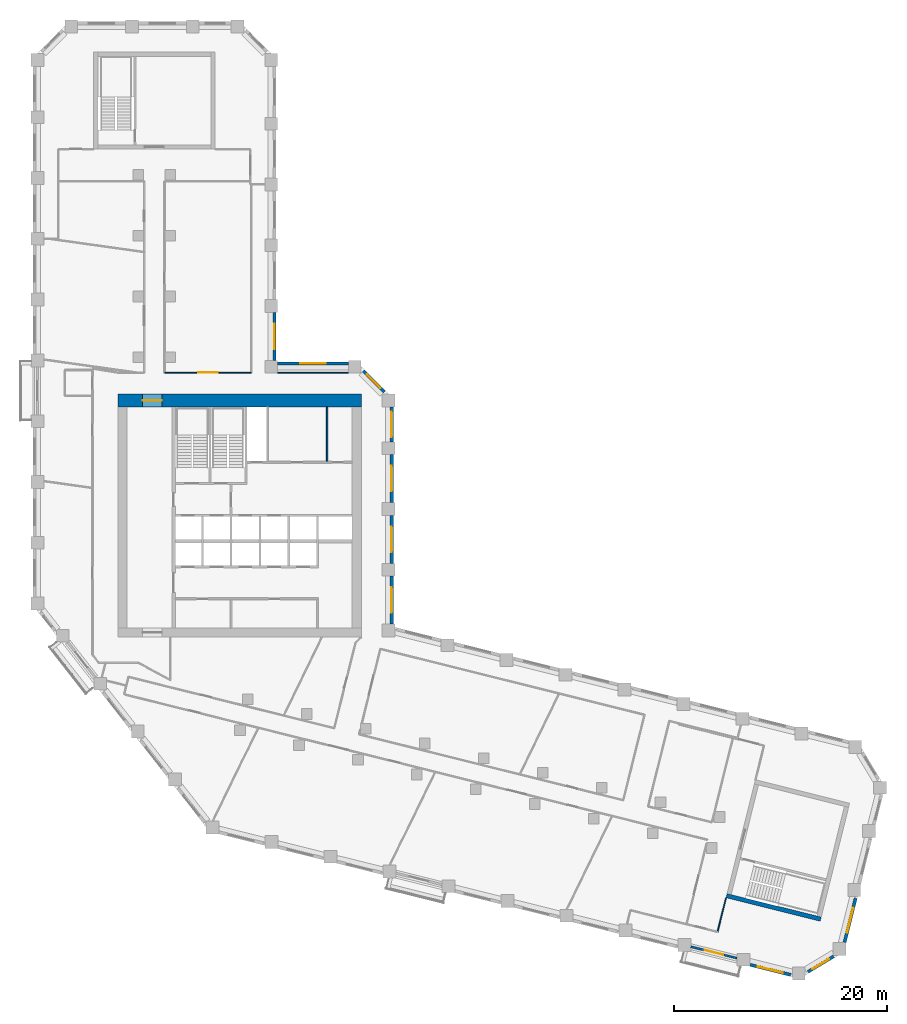
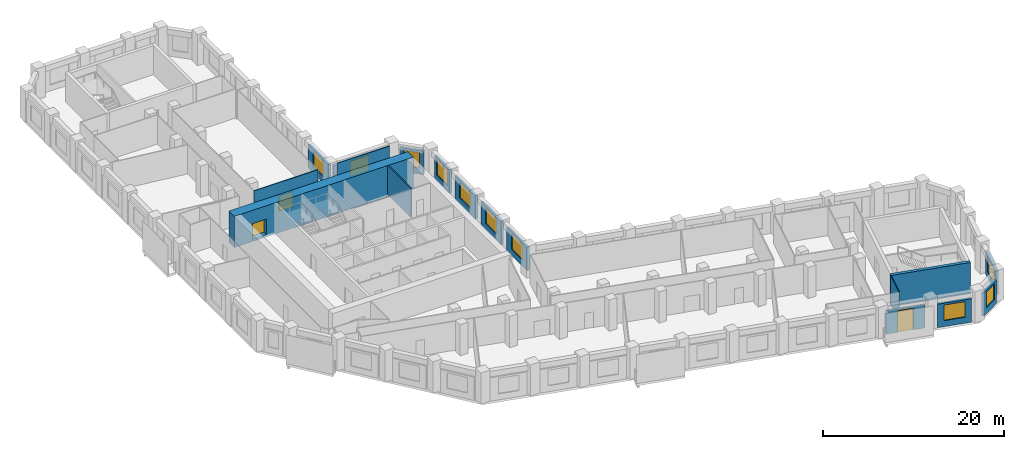
# One storey, part 6 of 10: 17 walls, 10 windows, 3 doors, 13 openings.
"""IFC4 building model written with IfcOpenShell, lengths in metres."""

import ifcopenshell
import ifcopenshell.guid

model = None  # the IFC model being written
_history = None  # IfcOwnerHistory: only IFC2X3 demands one
_inside = {}  # id of a spatial element -> (the spatial element, [elements in it])
_under = {}  # id of a project, library or spatial element -> (it, [spatial elements below it])
_declared = {}  # id of a project -> (the project, [libraries it declares])
_typed = {}  # id of a type object -> (the type object, [elements of that type])
_made_of = {}  # id of a material, layer set ... -> (it, [elements and type objects made of it])


def new_model(schema):
    """Start an empty IFC model of exactly this schema.

    Asked for "IFC4X3", IfcOpenShell would pick the latest addendum, in which some entities
    have other attributes; the version numbers below select the first issue.
    IFC2X3 requires an IfcOwnerHistory on every rooted entity: one is made here for all.
    """
    global model, _history
    if schema == "IFC4X3":
        model = ifcopenshell.file(schema_version=(4, 3, 0, 0))
    else:
        model = ifcopenshell.file(schema=schema)
    _inside.clear()
    _under.clear()
    _declared.clear()
    _typed.clear()
    _made_of.clear()
    _history = None
    if model.schema == "IFC2X3":
        org = make("IfcOrganization", Name="unknown")
        user = make(
            "IfcPersonAndOrganization",
            ThePerson=make("IfcPerson", FamilyName="unknown"),
            TheOrganization=org,
        )
        app = make(
            "IfcApplication",
            ApplicationDeveloper=org,
            Version="unknown",
            ApplicationFullName="unknown",
            ApplicationIdentifier="unknown",
        )
        _history = make(
            "IfcOwnerHistory",
            OwningUser=user,
            OwningApplication=app,
            ChangeAction="ADDED",
            CreationDate=0,
        )
    return model


def make(cls, **values):
    """One entity of the class cls with the attributes given. An attribute that is None is left unset."""
    return model.create_entity(
        cls, **{name: value for name, value in values.items() if value is not None}
    )


def rooted(cls, **values):
    """An entity with a GlobalId (a new one), such as an element, a storey or a relation."""
    return make(cls, GlobalId=ifcopenshell.guid.new(), OwnerHistory=_history, **values)


def si_unit(unit_type, name, prefix=None):
    """IfcSIUnit, for example si_unit("LENGTHUNIT", "METRE", prefix="MILLI")."""
    return make("IfcSIUnit", UnitType=unit_type, Prefix=prefix, Name=name)


def assignment(units):
    """IfcUnitAssignment: the units of a project."""
    return None if units is None else make("IfcUnitAssignment", Units=units)


def point(xyz):
    """IfcCartesianPoint."""
    return None if xyz is None else make("IfcCartesianPoint", Coordinates=xyz)


def direction(xyz):
    """IfcDirection."""
    return None if xyz is None else make("IfcDirection", DirectionRatios=xyz)


def frame(location, z_axis=None, x_axis=None):
    """IfcAxis2Placement3D, a coordinate frame: its origin and axes. An axis left out is left unset."""
    return make(
        "IfcAxis2Placement3D",
        Location=point(location),
        Axis=direction(z_axis),
        RefDirection=direction(x_axis),
    )


def frame_2d(location, x_axis=None):
    """IfcAxis2Placement2D, a coordinate frame in the plane: its origin and x axis."""
    return make(
        "IfcAxis2Placement2D", Location=point(location), RefDirection=direction(x_axis)
    )


def origin():
    """The frame at (0, 0, 0) with its axes left unset."""
    return frame((0.0, 0.0, 0.0))


def place(relative_to, where):
    """IfcLocalPlacement: puts the frame where relative to a parent placement (None: the world)."""
    return make(
        "IfcLocalPlacement", PlacementRelTo=relative_to, RelativePlacement=where
    )


def context(
    kind, dimensions, precision=None, world=None, true_north=None, identifier=None
):
    """IfcGeometricRepresentationContext, for example the 3D "Model" context."""
    return make(
        "IfcGeometricRepresentationContext",
        ContextIdentifier=identifier,
        ContextType=kind,
        CoordinateSpaceDimension=dimensions,
        Precision=precision,
        WorldCoordinateSystem=world,
        TrueNorth=true_north,
    )


def subcontext(parent, identifier, kind, view, scale=None):
    """IfcGeometricRepresentationSubContext, for example "Body" below "Model"."""
    return make(
        "IfcGeometricRepresentationSubContext",
        ContextIdentifier=identifier,
        ContextType=kind,
        ParentContext=parent,
        TargetScale=scale,
        TargetView=view,
    )


def project(units=None, contexts=None):
    """IfcProject with its units and contexts."""
    return rooted(
        "IfcProject",
        Name="project",
        RepresentationContexts=contexts,
        UnitsInContext=assignment(units),
    )


def spatial(cls, under=None, at=None, **own):
    """A site, building, storey or space (cls), placed at a placement, below another one or the project."""
    s = rooted(cls, ObjectPlacement=at, **own)
    if under is not None:
        _under.setdefault(under.id(), (under, []))[1].append(s)
    return s


def profile(cls, at=None, kind="AREA", **sizes):
    """A parametric profile (cls). Its sizes go by their IFC names, for example OverallWidth=200.0."""
    return make(cls, ProfileType=kind, Position=at, **sizes)


def rectangle(**sizes):
    """IfcRectangleProfileDef."""
    return profile("IfcRectangleProfileDef", **sizes)


def extrude(swept, where, along, depth):
    """IfcExtrudedAreaSolid: the profile swept, set in the frame where, extruded along a direction by depth."""
    return make(
        "IfcExtrudedAreaSolid",
        SweptArea=swept,
        Position=where,
        ExtrudedDirection=direction(along),
        Depth=depth,
    )


def shape(context_of_items, identifier, shape_type, items):
    """IfcShapeRepresentation: the items that make up one representation, for example the "Body"."""
    return make(
        "IfcShapeRepresentation",
        ContextOfItems=context_of_items,
        RepresentationIdentifier=identifier,
        RepresentationType=shape_type,
        Items=items,
    )


def material(Name=None, Category=None):
    """IfcMaterial."""
    return make("IfcMaterial", Name=Name, Category=Category)


def layer(
    of_material, thickness, ventilated=None, Name=None, Category=None, Priority=None
):
    """IfcMaterialLayer: one layer of a wall or slab, of a material (None: an air gap)."""
    return make(
        "IfcMaterialLayer",
        Material=of_material,
        LayerThickness=thickness,
        IsVentilated=ventilated,
        Name=Name,
        Category=Category,
        Priority=Priority,
    )


def layer_set(layers, Name=None):
    """IfcMaterialLayerSet."""
    return make("IfcMaterialLayerSet", MaterialLayers=layers, LayerSetName=Name)


def made_of(thing, what):
    """Note that an element or type object is made of a material, layer set ...; save() writes the relation."""
    if what is not None:
        _made_of.setdefault(what.id(), (what, []))[1].append(thing)
    return thing


def type_object(cls, material=None, **own):
    """A type object (cls), such as IfcWallType, which elements share."""
    return made_of(rooted(cls, **own), material)


def element(
    cls,
    number,
    at=None,
    inside=None,
    cuts=None,
    type_object=None,
    material=None,
    context=None,
    identifier="Body",
    shape_type=None,
    held_by="IfcProductDefinitionShape",
    body=None,
    shapes=None,
    **own,
):
    """One element of the class cls, such as IfcWall. Its Tag is "e" and its number.

    at: its placement. inside: the storey or other place that contains it. cuts: it is an
    opening in that element (IfcRelVoidsElement). A single representation is given by context,
    identifier, shape_type and body (its items); several are given by shapes. held_by: the class
    of the entity that holds the representations. save() writes the other relations.
    """
    e = rooted(cls, Tag="e%d" % number, ObjectPlacement=at, **own)
    if body is not None:
        shapes = [shape(context, identifier, shape_type, body)]
    if shapes is not None:
        e.Representation = make(held_by, Representations=shapes)
    if inside is not None:
        _inside.setdefault(inside.id(), (inside, []))[1].append(e)
    if cuts is not None:
        rooted(
            "IfcRelVoidsElement", RelatingBuildingElement=cuts, RelatedOpeningElement=e
        )
    if type_object is not None:
        _typed.setdefault(type_object.id(), (type_object, []))[1].append(e)
    return made_of(e, material)


def fill(opening, filler):
    """IfcRelFillsElement: the door or window that sits in an opening."""
    return rooted(
        "IfcRelFillsElement",
        RelatingOpeningElement=opening,
        RelatedBuildingElement=filler,
    )


def aggregate(whole, parts):
    """IfcRelAggregates: a whole, such as a stair, and the parts it consists of."""
    return rooted("IfcRelAggregates", RelatingObject=whole, RelatedObjects=parts)


def save(model, path):
    """Write the relations noted so far, then the file.

    IfcRelAggregates (storeys below a building ...), IfcRelContainedInSpatialStructure (elements
    in a storey), IfcRelDefinesByType, IfcRelAssociatesMaterial and IfcRelDeclares: one each for
    every whole, place, type object, material and project.
    """
    for whole, parts in _under.values():
        aggregate(whole, parts)
    for where, things in _inside.values():
        rooted(
            "IfcRelContainedInSpatialStructure",
            RelatedElements=things,
            RelatingStructure=where,
        )
    for kind, things in _typed.values():
        rooted("IfcRelDefinesByType", RelatedObjects=things, RelatingType=kind)
    for what, things in _made_of.values():
        rooted("IfcRelAssociatesMaterial", RelatedObjects=things, RelatingMaterial=what)
    for by, libraries in _declared.values():
        rooted("IfcRelDeclares", RelatingContext=by, RelatedDefinitions=libraries)
    model.write(path)


model = new_model("IFC4")

# Units and contexts
model_context = context("Model", 3, precision=1e-05, world=origin(), true_north=direction((0.0, 1.0)))
body_context = subcontext(model_context, "Body", "Model", "MODEL_VIEW")
ifc_project = project(units=[si_unit("LENGTHUNIT", "METRE"), si_unit("AREAUNIT", "SQUARE_METRE"), si_unit("VOLUMEUNIT", "CUBIC_METRE"), si_unit("PLANEANGLEUNIT", "RADIAN"), si_unit("MASSUNIT", "GRAM", prefix="KILO")], contexts=[model_context])

# Site, building, storey
site_placement = place(None, origin())
site = spatial("IfcSite", under=ifc_project, at=site_placement, CompositionType="ELEMENT")
building_placement = place(site_placement, origin())
building = spatial("IfcBuilding", under=site, at=building_placement, Name="Meshkara Civic Tower", CompositionType="ELEMENT")
storey_placement = place(building_placement, frame((0.0, 0.0, 190.800048828125)))
storey = spatial("IfcBuildingStorey", under=building, at=storey_placement, Name="L43", CompositionType="ELEMENT", Elevation=190.800048828125)

# Wall
ifc_material_1 = material(Name="Blockwork", Category="masonry")
ifc_layer_1 = layer(ifc_material_1, 0.14990234375)
ifc_layer_set_1 = layer_set([ifc_layer_1], Name="Core partition 150")
wall_type_1 = type_object("IfcWallType", Name="Core partition 150", PredefinedType="PARTITIONING", material=ifc_layer_set_1)
wall_1_placement = place(storey_placement, frame((27.60009765625, 30.574951171875, 0.0), z_axis=(0.0, 0.0, 1.0), x_axis=(0.0, 1.0, 0.0)))
element("IfcWall", 1, at=wall_1_placement, inside=storey, type_object=wall_type_1, Name="L43-C022", PredefinedType="PARTITIONING", context=body_context, shape_type="SweptSolid", body=[
    extrude(rectangle(XDim=5.125, YDim=0.14990234375, at=frame_2d((2.5625, 0.0))), origin(), (0.0, 0.0, 1.0), 3.89990234375),
])

# Wall, opening, door
ifc_material_2 = material(Name="Concrete C70", Category="concrete")
ifc_layer_2 = layer(ifc_material_2, 1.199951171875)
ifc_layer_set_2 = layer_set([ifc_layer_2], Name="Core ring wall 1200 C70")
wall_type_2 = type_object("IfcWallType", Name="Core ring wall 1200 C70", PredefinedType="SHEAR", material=ifc_layer_set_2)
wall_2_placement = place(storey_placement, frame((8.0, 36.300048828125, -0.300048828125), z_axis=(0.0, 0.0, 1.0), x_axis=(1.0, 0.0, 0.0)))
wall_2 = element("IfcWall", 2, at=wall_2_placement, inside=storey, type_object=wall_type_2, Name="L43-C002", PredefinedType="SHEAR", context=body_context, shape_type="SweptSolid", body=[
    extrude(rectangle(XDim=22.800048828125, YDim=1.199951171875, at=frame_2d((11.39990234375, 0.0))), origin(), (0.0, 0.0, 1.0), 4.199951171875),
])
opening_1_placement = place(wall_2_placement, frame((2.300048828125, 0.0, 0.300048828125)))
opening_1 = element("IfcOpeningElement", 3, at=opening_1_placement, cuts=wall_2, Name="Opening L43-K020", PredefinedType="OPENING", context=body_context, shape_type="SweptSolid", body=[
    extrude(rectangle(XDim=1.800048828125, YDim=2.10009765625, at=frame_2d((0.89990234375, 1.050048828125))), frame((0.0, 0.60986328125, 0.0), z_axis=(0.0, -1.0, 0.0), x_axis=(1.0, 0.0, 0.0)), (0.0, 0.0, 1.0), 1.219970703125),
])
ifc_material_3 = material(Name="Fire-rated door leaf in steel frame", Category="steel")
door_type_1 = type_object("IfcDoorType", Name="Core double door 1800 EI 60", OperationType="DOUBLE_DOOR_SINGLE_SWING", PredefinedType="DOOR", material=ifc_material_3)
door_1_placement = place(opening_1_placement, origin())
door_1 = element("IfcDoor", 4, at=door_1_placement, inside=storey, type_object=door_type_1, Name="L43-K020", OperationType="DOUBLE_DOOR_SINGLE_SWING", OverallHeight=2.10009765625, OverallWidth=1.800048828125, PredefinedType="DOOR", context=body_context, shape_type="SweptSolid", body=[
    extrude(rectangle(XDim=1.800048828125, YDim=2.10009765625, at=frame_2d((0.89990234375, 1.050048828125))), frame((0.0, 0.02490234375, 0.0), z_axis=(0.0, -1.0, 0.0), x_axis=(1.0, 0.0, 0.0)), (0.0, 0.0, 1.0), 0.050048828125),
])
fill(opening_1, door_1)

ifc_material_4 = material(Name="Corridor wall 100")
ifc_layer_3 = layer(ifc_material_4, 0.10009765625)
ifc_layer_set_3 = layer_set([ifc_layer_3], Name="Corridor wall 100")
wall_type_3 = type_object("IfcWallType", Name="Corridor wall 100", PredefinedType="PARTITIONING", material=ifc_layer_set_3)
wall_3_placement = place(storey_placement, frame((20.5, 38.89990234375, 0.0), z_axis=(0.0, 0.0, 1.0), x_axis=(-1.0, 0.0, 0.0)))
wall_3 = element("IfcWall", 5, at=wall_3_placement, inside=storey, type_object=wall_type_3, Name="L43-W019", PredefinedType="PARTITIONING", context=body_context, shape_type="SweptSolid", body=[
    extrude(rectangle(XDim=8.14990234375, YDim=0.10009765625, at=frame_2d((4.074951171875, 0.0))), origin(), (0.0, 0.0, 1.0), 3.89990234375),
])
opening_2_placement = place(wall_3_placement, frame((3.179931640625, 0.0, 0.0)))
opening_2 = element("IfcOpeningElement", 6, at=opening_2_placement, cuts=wall_3, Name="Opening L43-D017", PredefinedType="OPENING", context=body_context, shape_type="SweptSolid", body=[
    extrude(rectangle(XDim=1.800048828125, YDim=2.10009765625, at=frame_2d((0.89990234375, 1.050048828125))), frame((0.0, 0.06005859375, 0.0), z_axis=(0.0, -1.0, 0.0), x_axis=(1.0, 0.0, 0.0)), (0.0, 0.0, 1.0), 0.1201171875),
])
ifc_material_5 = material(Name="Door pair 1800 x 2100")
door_type_2 = type_object("IfcDoorType", Name="Door pair 1800 x 2100", OperationType="SINGLE_SWING_LEFT", PredefinedType="DOOR", material=ifc_material_5)
door_2_placement = place(opening_2_placement, origin())
door_2 = element("IfcDoor", 7, at=door_2_placement, inside=storey, type_object=door_type_2, Name="L43-D017", OperationType="DOUBLE_DOOR_SINGLE_SWING", OverallHeight=2.10009765625, OverallWidth=1.800048828125, PredefinedType="DOOR", context=body_context, shape_type="SweptSolid", body=[
    extrude(rectangle(XDim=1.800048828125, YDim=2.10009765625, at=frame_2d((0.89990234375, 1.050048828125))), frame((0.0, 0.02490234375, 0.0), z_axis=(0.0, -1.0, 0.0), x_axis=(1.0, 0.0, 0.0)), (0.0, 0.0, 1.0), 0.050048828125),
])
fill(opening_2, door_2)

# Walls
wall_4_placement = place(storey_placement, frame((29.593994140625, 38.89990234375, 0.0), z_axis=(0.0, 0.0, 1.0), x_axis=(-1.0, 0.0, 0.0)))
element("IfcWall", 8, at=wall_4_placement, inside=storey, type_object=wall_type_3, Name="L43-W022", PredefinedType="PARTITIONING", context=body_context, shape_type="SweptSolid", body=[
    extrude(rectangle(XDim=6.64404296875, YDim=0.10009765625, at=frame_2d((3.322021484375, 0.0))), origin(), (0.0, 0.0, 1.0), 3.89990234375),
])
wall_5_placement = place(storey_placement, frame((64.202880859375, -13.533935546875, 0.0), z_axis=(0.0, 0.0, 1.0), x_axis=(0.241856645367, 0.970311992656, 0.0)))
element("IfcWall", 9, at=wall_5_placement, inside=storey, type_object=wall_type_3, Name="L43-W036", PredefinedType="PARTITIONING", context=body_context, shape_type="SweptSolid", body=[
    extrude(rectangle(XDim=3.2998046875, YDim=0.10009765625, at=frame_2d((1.64990234375, 0.0))), origin(), (0.0, 0.0, 1.0), 3.89990234375),
])

# Wall, opening, window
ifc_material_6 = material(Name="Insulated infill panel with bronze anodised aluminium cladding", Category="aluminium")
ifc_layer_4 = layer(ifc_material_6, 0.300048828125)
ifc_layer_set_4 = layer_set([ifc_layer_4], Name="EXTERNAL INFILL WALL 300")
wall_type_4 = type_object("IfcWallType", Name="EXTERNAL INFILL WALL 300", PredefinedType="SOLIDWALL", material=ifc_layer_set_4)
wall_6_placement = place(storey_placement, frame((33.64990234375, 15.319091796875, 0.0), z_axis=(0.0, 0.0, 1.0), x_axis=(0.0, 1.0, 0.0)))
wall_6 = element("IfcWall", 10, at=wall_6_placement, inside=storey, type_object=wall_type_4, Name="External wall", PredefinedType="SOLIDWALL", context=body_context, shape_type="SweptSolid", body=[
    extrude(rectangle(XDim=4.5, YDim=0.300048828125, at=frame_2d((2.25, 0.0))), origin(), (0.0, 0.0, 1.0), 3.14990234375),
])
opening_3_placement = place(wall_6_placement, frame((1.050048828125, 0.0, 0.800048828125)))
opening_3 = element("IfcOpeningElement", 11, at=opening_3_placement, cuts=wall_6, Name="Opening W7", PredefinedType="OPENING", context=body_context, shape_type="SweptSolid", body=[
    extrude(rectangle(XDim=2.39990234375, YDim=2.10009765625, at=frame_2d((1.199951171875, 1.050048828125))), frame((0.0, 0.159912109375, 0.0), z_axis=(0.0, -1.0, 0.0), x_axis=(1.0, 0.0, 0.0)), (0.0, 0.0, 1.0), 0.320068359375),
])
ifc_material_7 = material(Name="Tinted double glazing", Category="glass")
window_type_1 = type_object("IfcWindowType", Name="WINDOW 2400x2100", PartitioningType="DOUBLE_PANEL_VERTICAL", PredefinedType="WINDOW", material=ifc_material_7)
window_1_placement = place(opening_3_placement, origin())
window_1 = element("IfcWindow", 12, at=window_1_placement, inside=storey, type_object=window_type_1, Name="Window", OverallHeight=2.10009765625, OverallWidth=2.39990234375, PartitioningType="DOUBLE_PANEL_VERTICAL", PredefinedType="WINDOW", context=body_context, shape_type="SweptSolid", body=[
    extrude(rectangle(XDim=2.39990234375, YDim=2.10009765625, at=frame_2d((1.199951171875, 1.050048828125))), frame((0.0, 0.030029296875, 0.0), z_axis=(0.0, -1.0, 0.0), x_axis=(1.0, 0.0, 0.0)), (0.0, 0.0, 1.0), 0.06005859375),
])
fill(opening_3, window_1)

wall_7_placement = place(storey_placement, frame((33.64990234375, 21.01904296875, 0.0), z_axis=(0.0, 0.0, 1.0), x_axis=(0.0, 1.0, 0.0)))
wall_7 = element("IfcWall", 13, at=wall_7_placement, inside=storey, type_object=wall_type_4, Name="External wall", PredefinedType="SOLIDWALL", context=body_context, shape_type="SweptSolid", body=[
    extrude(rectangle(XDim=4.5, YDim=0.300048828125, at=frame_2d((2.25, 0.0))), origin(), (0.0, 0.0, 1.0), 3.14990234375),
])
opening_4_placement = place(wall_7_placement, frame((1.050048828125, 0.0, 0.800048828125)))
opening_4 = element("IfcOpeningElement", 14, at=opening_4_placement, cuts=wall_7, Name="Opening W7", PredefinedType="OPENING", context=body_context, shape_type="SweptSolid", body=[
    extrude(rectangle(XDim=2.39990234375, YDim=2.10009765625, at=frame_2d((1.199951171875, 1.050048828125))), frame((0.0, 0.159912109375, 0.0), z_axis=(0.0, -1.0, 0.0), x_axis=(1.0, 0.0, 0.0)), (0.0, 0.0, 1.0), 0.320068359375),
])
window_2_placement = place(opening_4_placement, origin())
window_2 = element("IfcWindow", 15, at=window_2_placement, inside=storey, type_object=window_type_1, Name="Window", OverallHeight=2.10009765625, OverallWidth=2.39990234375, PartitioningType="DOUBLE_PANEL_VERTICAL", PredefinedType="WINDOW", context=body_context, shape_type="SweptSolid", body=[
    extrude(rectangle(XDim=2.39990234375, YDim=2.10009765625, at=frame_2d((1.199951171875, 1.050048828125))), frame((0.0, 0.030029296875, 0.0), z_axis=(0.0, -1.0, 0.0), x_axis=(1.0, 0.0, 0.0)), (0.0, 0.0, 1.0), 0.06005859375),
])
fill(opening_4, window_2)

wall_8_placement = place(storey_placement, frame((33.64990234375, 26.718994140625, 0.0), z_axis=(0.0, 0.0, 1.0), x_axis=(0.0, 1.0, 0.0)))
wall_8 = element("IfcWall", 16, at=wall_8_placement, inside=storey, type_object=wall_type_4, Name="External wall", PredefinedType="SOLIDWALL", context=body_context, shape_type="SweptSolid", body=[
    extrude(rectangle(XDim=4.5, YDim=0.300048828125, at=frame_2d((2.25, 0.0))), origin(), (0.0, 0.0, 1.0), 3.14990234375),
])
opening_5_placement = place(wall_8_placement, frame((1.050048828125, 0.0, 0.800048828125)))
opening_5 = element("IfcOpeningElement", 17, at=opening_5_placement, cuts=wall_8, Name="Opening W7", PredefinedType="OPENING", context=body_context, shape_type="SweptSolid", body=[
    extrude(rectangle(XDim=2.39990234375, YDim=2.10009765625, at=frame_2d((1.199951171875, 1.050048828125))), frame((0.0, 0.159912109375, 0.0), z_axis=(0.0, -1.0, 0.0), x_axis=(1.0, 0.0, 0.0)), (0.0, 0.0, 1.0), 0.320068359375),
])
window_3_placement = place(opening_5_placement, origin())
window_3 = element("IfcWindow", 18, at=window_3_placement, inside=storey, type_object=window_type_1, Name="Window", OverallHeight=2.10009765625, OverallWidth=2.39990234375, PartitioningType="DOUBLE_PANEL_VERTICAL", PredefinedType="WINDOW", context=body_context, shape_type="SweptSolid", body=[
    extrude(rectangle(XDim=2.39990234375, YDim=2.10009765625, at=frame_2d((1.199951171875, 1.050048828125))), frame((0.0, 0.030029296875, 0.0), z_axis=(0.0, -1.0, 0.0), x_axis=(1.0, 0.0, 0.0)), (0.0, 0.0, 1.0), 0.06005859375),
])
fill(opening_5, window_3)

wall_9_placement = place(storey_placement, frame((33.64990234375, 32.4189453125, 0.0), z_axis=(0.0, 0.0, 1.0), x_axis=(0.0, 1.0, 0.0)))
wall_9 = element("IfcWall", 19, at=wall_9_placement, inside=storey, type_object=wall_type_4, Name="External wall", PredefinedType="SOLIDWALL", context=body_context, shape_type="SweptSolid", body=[
    extrude(rectangle(XDim=3.275146484375, YDim=0.300048828125, at=frame_2d((1.6376953125, 0.0))), origin(), (0.0, 0.0, 1.0), 3.14990234375),
])
opening_6_placement = place(wall_9_placement, frame((0.43798828125, 0.0, 0.800048828125)))
opening_6 = element("IfcOpeningElement", 20, at=opening_6_placement, cuts=wall_9, Name="Opening W7", PredefinedType="OPENING", context=body_context, shape_type="SweptSolid", body=[
    extrude(rectangle(XDim=2.39990234375, YDim=2.10009765625, at=frame_2d((1.199951171875, 1.050048828125))), frame((0.0, 0.159912109375, 0.0), z_axis=(0.0, -1.0, 0.0), x_axis=(1.0, 0.0, 0.0)), (0.0, 0.0, 1.0), 0.320068359375),
])
window_4_placement = place(opening_6_placement, origin())
window_4 = element("IfcWindow", 21, at=window_4_placement, inside=storey, type_object=window_type_1, Name="Window", OverallHeight=2.10009765625, OverallWidth=2.39990234375, PartitioningType="DOUBLE_PANEL_VERTICAL", PredefinedType="WINDOW", context=body_context, shape_type="SweptSolid", body=[
    extrude(rectangle(XDim=2.39990234375, YDim=2.10009765625, at=frame_2d((1.199951171875, 1.050048828125))), frame((0.0, 0.030029296875, 0.0), z_axis=(0.0, -1.0, 0.0), x_axis=(1.0, 0.0, 0.0)), (0.0, 0.0, 1.0), 0.06005859375),
])
fill(opening_6, window_4)

wall_10_placement = place(storey_placement, frame((32.9619140625, 37.10595703125, 0.0), z_axis=(0.0, 0.0, 1.0), x_axis=(-0.707062649074, 0.707150910545, 0.0)))
wall_10 = element("IfcWall", 22, at=wall_10_placement, inside=storey, type_object=wall_type_4, Name="External wall", PredefinedType="SOLIDWALL", context=body_context, shape_type="SweptSolid", body=[
    extrude(rectangle(XDim=2.76611328125, YDim=0.300048828125, at=frame_2d((1.383056640625, 0.0))), origin(), (0.0, 0.0, 1.0), 3.14990234375),
])
opening_7_placement = place(wall_10_placement, frame((0.48291015625, 0.0, 0.800048828125)))
opening_7 = element("IfcOpeningElement", 23, at=opening_7_placement, cuts=wall_10, Name="Opening W9", PredefinedType="OPENING", context=body_context, shape_type="SweptSolid", body=[
    extrude(rectangle(XDim=1.800048828125, YDim=2.10009765625, at=frame_2d((0.89990234375, 1.050048828125))), frame((0.0, 0.159912109375, 0.0), z_axis=(0.0, -1.0, 0.0), x_axis=(1.0, 0.0, 0.0)), (0.0, 0.0, 1.0), 0.320068359375),
])
ifc_material_8 = material(Name="Tinted double glazing", Category="glass")
window_type_2 = type_object("IfcWindowType", Name="WINDOW 1800x2100", PartitioningType="DOUBLE_PANEL_VERTICAL", PredefinedType="WINDOW", material=ifc_material_8)
window_5_placement = place(opening_7_placement, origin())
window_5 = element("IfcWindow", 24, at=window_5_placement, inside=storey, type_object=window_type_2, Name="Window", OverallHeight=2.10009765625, OverallWidth=1.800048828125, PartitioningType="DOUBLE_PANEL_VERTICAL", PredefinedType="WINDOW", context=body_context, shape_type="SweptSolid", body=[
    extrude(rectangle(XDim=1.800048828125, YDim=2.10009765625, at=frame_2d((0.89990234375, 1.050048828125))), frame((0.0, 0.030029296875, 0.0), z_axis=(0.0, -1.0, 0.0), x_axis=(1.0, 0.0, 0.0)), (0.0, 0.0, 1.0), 0.06005859375),
])
fill(opening_7, window_5)

wall_11_placement = place(storey_placement, frame((29.593994140625, 39.75, 0.0), z_axis=(0.0, 0.0, 1.0), x_axis=(-1.0, 0.0, 0.0)))
wall_11 = element("IfcWall", 25, at=wall_11_placement, inside=storey, type_object=wall_type_4, Name="External wall", PredefinedType="SOLIDWALL", context=body_context, shape_type="SweptSolid", body=[
    extrude(rectangle(XDim=6.64404296875, YDim=0.300048828125, at=frame_2d((3.322021484375, 0.0))), origin(), (0.0, 0.0, 1.0), 3.14990234375),
])
opening_8_placement = place(wall_11_placement, frame((2.1220703125, 0.0, 0.800048828125)))
opening_8 = element("IfcOpeningElement", 26, at=opening_8_placement, cuts=wall_11, Name="Opening W7", PredefinedType="OPENING", context=body_context, shape_type="SweptSolid", body=[
    extrude(rectangle(XDim=2.39990234375, YDim=2.10009765625, at=frame_2d((1.199951171875, 1.050048828125))), frame((0.0, 0.159912109375, 0.0), z_axis=(0.0, -1.0, 0.0), x_axis=(1.0, 0.0, 0.0)), (0.0, 0.0, 1.0), 0.320068359375),
])
window_6_placement = place(opening_8_placement, origin())
window_6 = element("IfcWindow", 27, at=window_6_placement, inside=storey, type_object=window_type_1, Name="Window", OverallHeight=2.10009765625, OverallWidth=2.39990234375, PartitioningType="DOUBLE_PANEL_VERTICAL", PredefinedType="WINDOW", context=body_context, shape_type="SweptSolid", body=[
    extrude(rectangle(XDim=2.39990234375, YDim=2.10009765625, at=frame_2d((1.199951171875, 1.050048828125))), frame((0.0, 0.030029296875, 0.0), z_axis=(0.0, -1.0, 0.0), x_axis=(1.0, 0.0, 0.0)), (0.0, 0.0, 1.0), 0.06005859375),
])
fill(opening_8, window_6)

wall_12_placement = place(storey_placement, frame((22.64990234375, 40.050048828125, 0.0), z_axis=(0.0, 0.0, 1.0), x_axis=(0.0, 1.0, 0.0)))
wall_12 = element("IfcWall", 28, at=wall_12_placement, inside=storey, type_object=wall_type_4, Name="External wall", PredefinedType="SOLIDWALL", context=body_context, shape_type="SweptSolid", body=[
    extrude(rectangle(XDim=4.5, YDim=0.300048828125, at=frame_2d((2.25, 0.0))), origin(), (0.0, 0.0, 1.0), 3.14990234375),
])
opening_9_placement = place(wall_12_placement, frame((1.050048828125, 0.0, 0.800048828125)))
opening_9 = element("IfcOpeningElement", 29, at=opening_9_placement, cuts=wall_12, Name="Opening W7", PredefinedType="OPENING", context=body_context, shape_type="SweptSolid", body=[
    extrude(rectangle(XDim=2.39990234375, YDim=2.10009765625, at=frame_2d((1.199951171875, 1.050048828125))), frame((0.0, 0.159912109375, 0.0), z_axis=(0.0, -1.0, 0.0), x_axis=(1.0, 0.0, 0.0)), (0.0, 0.0, 1.0), 0.320068359375),
])
window_7_placement = place(opening_9_placement, origin())
window_7 = element("IfcWindow", 30, at=window_7_placement, inside=storey, type_object=window_type_1, Name="Window", OverallHeight=2.10009765625, OverallWidth=2.39990234375, PartitioningType="DOUBLE_PANEL_VERTICAL", PredefinedType="WINDOW", context=body_context, shape_type="SweptSolid", body=[
    extrude(rectangle(XDim=2.39990234375, YDim=2.10009765625, at=frame_2d((1.199951171875, 1.050048828125))), frame((0.0, 0.030029296875, 0.0), z_axis=(0.0, -1.0, 0.0), x_axis=(1.0, 0.0, 0.0)), (0.0, 0.0, 1.0), 0.06005859375),
])
fill(opening_9, window_7)

wall_13_placement = place(storey_placement, frame((67.260009765625, -16.614990234375, 0.0), z_axis=(0.0, 0.0, 1.0), x_axis=(0.97033344074, -0.241770580885, 0.0)))
wall_13 = element("IfcWall", 31, at=wall_13_placement, inside=storey, type_object=wall_type_4, Name="External wall", PredefinedType="SOLIDWALL", context=body_context, shape_type="SweptSolid", body=[
    extrude(rectangle(XDim=3.905029296875, YDim=0.300048828125, at=frame_2d((1.95263671875, 0.0))), origin(), (0.0, 0.0, 1.0), 3.14990234375),
])
opening_10_placement = place(wall_13_placement, frame((0.751953125, 0.0, 0.800048828125)))
opening_10 = element("IfcOpeningElement", 32, at=opening_10_placement, cuts=wall_13, Name="Opening W7", PredefinedType="OPENING", context=body_context, shape_type="SweptSolid", body=[
    extrude(rectangle(XDim=2.39990234375, YDim=2.10009765625, at=frame_2d((1.199951171875, 1.050048828125))), frame((0.0, 0.159912109375, 0.0), z_axis=(0.0, -1.0, 0.0), x_axis=(1.0, 0.0, 0.0)), (0.0, 0.0, 1.0), 0.320068359375),
])
window_8_placement = place(opening_10_placement, origin())
window_8 = element("IfcWindow", 33, at=window_8_placement, inside=storey, type_object=window_type_1, Name="Window", OverallHeight=2.10009765625, OverallWidth=2.39990234375, PartitioningType="DOUBLE_PANEL_VERTICAL", PredefinedType="WINDOW", context=body_context, shape_type="SweptSolid", body=[
    extrude(rectangle(XDim=2.39990234375, YDim=2.10009765625, at=frame_2d((1.199951171875, 1.050048828125))), frame((0.0, 0.030029296875, 0.0), z_axis=(0.0, -1.0, 0.0), x_axis=(1.0, 0.0, 0.0)), (0.0, 0.0, 1.0), 0.06005859375),
])
fill(opening_10, window_8)

wall_14_placement = place(storey_placement, frame((72.68701171875, -17.277099609375, 0.0), z_axis=(0.0, 0.0, 1.0), x_axis=(0.857309341171, 0.514801606, 0.0)))
wall_14 = element("IfcWall", 34, at=wall_14_placement, inside=storey, type_object=wall_type_4, Name="External wall", PredefinedType="SOLIDWALL", context=body_context, shape_type="SweptSolid", body=[
    extrude(rectangle(XDim=2.81689453125, YDim=0.300048828125, at=frame_2d((1.408447265625, 0.0))), origin(), (0.0, 0.0, 1.0), 3.14990234375),
])
opening_11_placement = place(wall_14_placement, frame((0.508056640625, 0.0, 0.800048828125)))
opening_11 = element("IfcOpeningElement", 35, at=opening_11_placement, cuts=wall_14, Name="Opening W9", PredefinedType="OPENING", context=body_context, shape_type="SweptSolid", body=[
    extrude(rectangle(XDim=1.800048828125, YDim=2.10009765625, at=frame_2d((0.89990234375, 1.050048828125))), frame((0.0, 0.159912109375, 0.0), z_axis=(0.0, -1.0, 0.0), x_axis=(1.0, 0.0, 0.0)), (0.0, 0.0, 1.0), 0.320068359375),
])
window_9_placement = place(opening_11_placement, origin())
window_9 = element("IfcWindow", 36, at=window_9_placement, inside=storey, type_object=window_type_2, Name="Window", OverallHeight=2.10009765625, OverallWidth=1.800048828125, PartitioningType="DOUBLE_PANEL_VERTICAL", PredefinedType="WINDOW", context=body_context, shape_type="SweptSolid", body=[
    extrude(rectangle(XDim=1.800048828125, YDim=2.10009765625, at=frame_2d((0.89990234375, 1.050048828125))), frame((0.0, 0.030029296875, 0.0), z_axis=(0.0, -1.0, 0.0), x_axis=(1.0, 0.0, 0.0)), (0.0, 0.0, 1.0), 0.06005859375),
])
fill(opening_11, window_9)

wall_15_placement = place(storey_placement, frame((76.12109375, -14.511962890625, 0.0), z_axis=(0.0, 0.0, 1.0), x_axis=(0.241845562088, 0.970314755169, 0.0)))
wall_15 = element("IfcWall", 37, at=wall_15_placement, inside=storey, type_object=wall_type_4, Name="External wall", PredefinedType="SOLIDWALL", context=body_context, shape_type="SweptSolid", body=[
    extrude(rectangle(XDim=4.245849609375, YDim=0.300048828125, at=frame_2d((2.123046875, 0.0))), origin(), (0.0, 0.0, 1.0), 3.14990234375),
])
opening_12_placement = place(wall_15_placement, frame((0.923095703125, 0.0, 0.800048828125)))
opening_12 = element("IfcOpeningElement", 38, at=opening_12_placement, cuts=wall_15, Name="Opening W7", PredefinedType="OPENING", context=body_context, shape_type="SweptSolid", body=[
    extrude(rectangle(XDim=2.39990234375, YDim=2.10009765625, at=frame_2d((1.199951171875, 1.050048828125))), frame((0.0, 0.159912109375, 0.0), z_axis=(0.0, -1.0, 0.0), x_axis=(1.0, 0.0, 0.0)), (0.0, 0.0, 1.0), 0.320068359375),
])
window_10_placement = place(opening_12_placement, origin())
window_10 = element("IfcWindow", 39, at=window_10_placement, inside=storey, type_object=window_type_1, Name="Window", OverallHeight=2.10009765625, OverallWidth=2.39990234375, PartitioningType="DOUBLE_PANEL_VERTICAL", PredefinedType="WINDOW", context=body_context, shape_type="SweptSolid", body=[
    extrude(rectangle(XDim=2.39990234375, YDim=2.10009765625, at=frame_2d((1.199951171875, 1.050048828125))), frame((0.0, 0.030029296875, 0.0), z_axis=(0.0, -1.0, 0.0), x_axis=(1.0, 0.0, 0.0)), (0.0, 0.0, 1.0), 0.06005859375),
])
fill(opening_12, window_10)

# Wall
ifc_material_9 = material(Name="Concrete C70", Category="concrete")
ifc_layer_5 = layer(ifc_material_9, 0.39990234375)
ifc_layer_set_5 = layer_set([ifc_layer_5], Name="End core ring wall 400 C70")
wall_type_5 = type_object("IfcWallType", Name="End core ring wall 400 C70", PredefinedType="SHEAR", material=ifc_layer_set_5)
wall_16_placement = place(storey_placement, frame((65.050048828125, -10.137939453125, -0.300048828125), z_axis=(0.0, 0.0, 1.0), x_axis=(0.970273354879, -0.242011604707, 0.0)))
element("IfcWall", 40, at=wall_16_placement, inside=storey, type_object=wall_type_5, Name="L43-C028", PredefinedType="SHEAR", context=body_context, shape_type="SweptSolid", body=[
    extrude(rectangle(XDim=9.099365234375, YDim=0.39990234375, at=frame_2d((4.5498046875, 0.0))), origin(), (0.0, 0.0, 1.0), 4.199951171875),
])

# Wall, opening, door
ifc_material_10 = material(Name="Insulated infill panel with bronze anodised aluminium cladding", Category="aluminium")
ifc_layer_6 = layer(ifc_material_10, 0.199951171875)
ifc_layer_set_6 = layer_set([ifc_layer_6], Name="LOGGIA BACK WALL 200")
wall_type_6 = type_object("IfcWallType", Name="LOGGIA BACK WALL 200", PredefinedType="SOLIDWALL", material=ifc_layer_set_6)
wall_17_placement = place(storey_placement, frame((61.697021484375, -14.9189453125, 0.0), z_axis=(0.0, 0.0, 1.0), x_axis=(0.970322450875, -0.241814683856, 0.0)))
wall_17 = element("IfcWall", 41, at=wall_17_placement, inside=storey, type_object=wall_type_6, Name="Loggia wall", PredefinedType="SOLIDWALL", context=body_context, shape_type="SweptSolid", body=[
    extrude(rectangle(XDim=4.46240234375, YDim=0.199951171875, at=frame_2d((2.231201171875, 0.0))), origin(), (0.0, 0.0, 1.0), 3.14990234375),
])
opening_13_placement = place(wall_17_placement, frame((1.3310546875, 0.0, 0.0)))
opening_13 = element("IfcOpeningElement", 42, at=opening_13_placement, cuts=wall_17, Name="Opening L43-L004", PredefinedType="OPENING", context=body_context, shape_type="SweptSolid", body=[
    extrude(rectangle(XDim=1.800048828125, YDim=2.89990234375, at=frame_2d((0.89990234375, 1.449951171875))), frame((0.0, 0.10986328125, 0.0), z_axis=(0.0, -1.0, 0.0), x_axis=(1.0, 0.0, 0.0)), (0.0, 0.0, 1.0), 0.219970703125),
])
ifc_material_11 = material(Name="Tinted double glazing", Category="glass")
door_type_3 = type_object("IfcDoorType", Name="LOGGIA DOOR 1800x2900", OperationType="DOUBLE_DOOR_SINGLE_SWING", PredefinedType="DOOR", material=ifc_material_11)
door_3_placement = place(opening_13_placement, origin())
door_3 = element("IfcDoor", 43, at=door_3_placement, inside=storey, type_object=door_type_3, Name="L43-L004", OperationType="DOUBLE_DOOR_SINGLE_SWING", OverallHeight=2.89990234375, OverallWidth=1.800048828125, PredefinedType="DOOR", context=body_context, shape_type="SweptSolid", body=[
    extrude(rectangle(XDim=1.800048828125, YDim=2.89990234375, at=frame_2d((0.89990234375, 1.449951171875))), frame((0.0, 0.02490234375, 0.0), z_axis=(0.0, -1.0, 0.0), x_axis=(1.0, 0.0, 0.0)), (0.0, 0.0, 1.0), 0.050048828125),
])
fill(opening_13, door_3)

save(model, "model.ifc")
